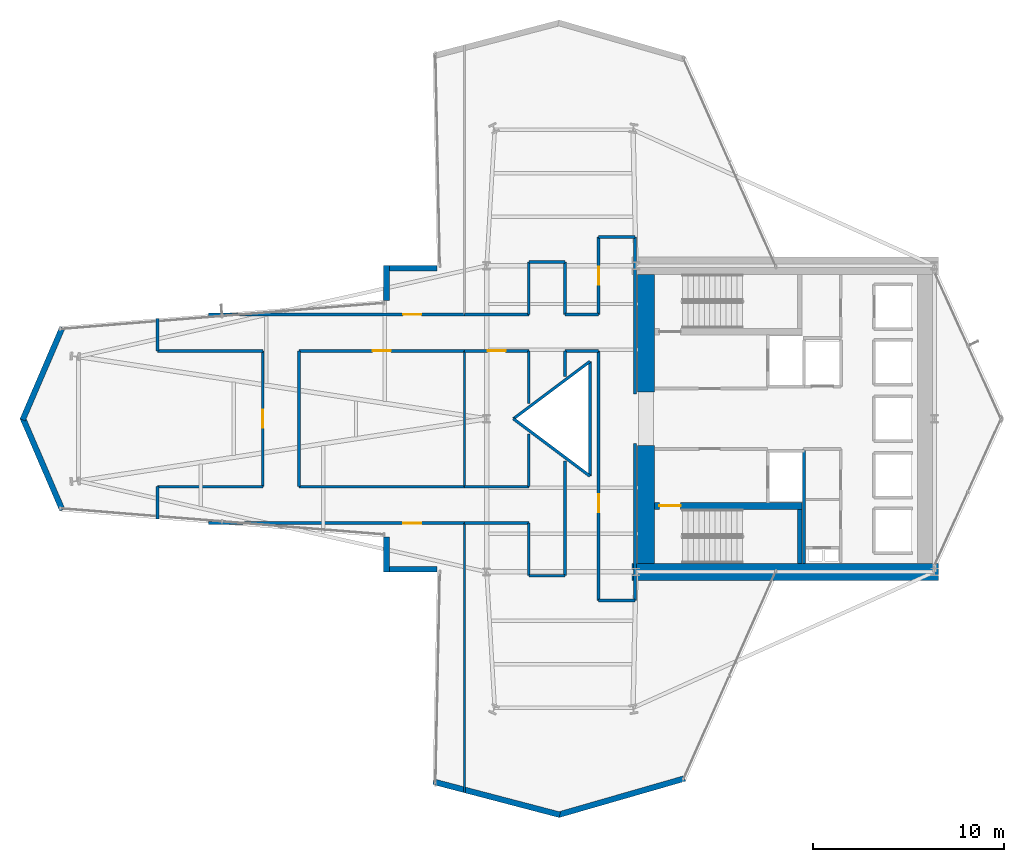
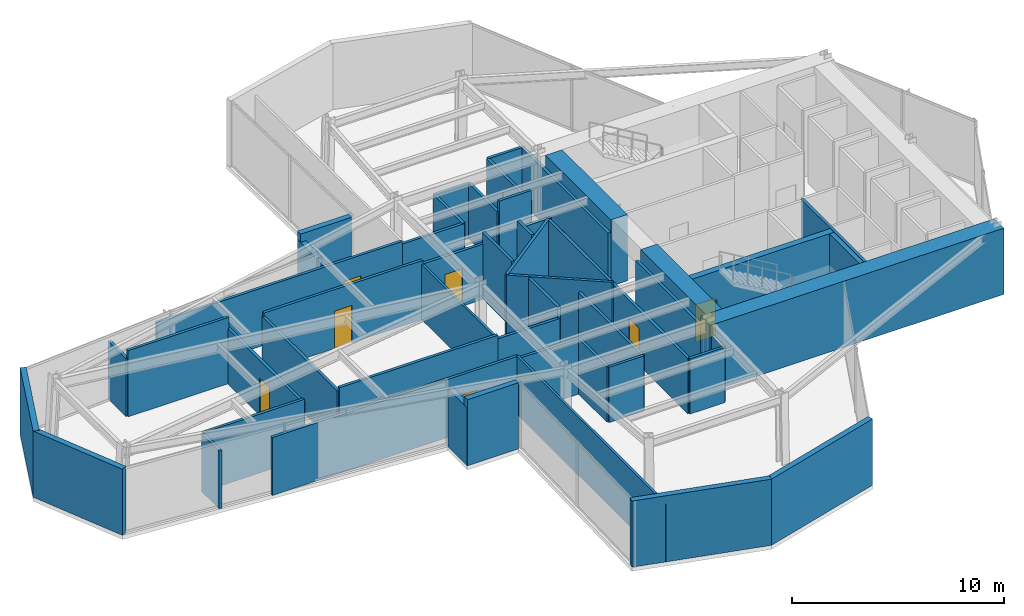
# One storey, part 21 of 24: 50 walls, 8 doors, 8 openings.
"""IFC4 building model written with IfcOpenShell, lengths in metres."""

from ifc_helpers import new_model, si_unit, direction, frame, frame_2d, origin, place, context, subcontext, project, spatial, rectangle, extrude, material, layer, layer_set, type_object, element, fill, save


model = new_model("IFC4")

# Units and contexts
model_context = context("Model", 3, precision=1e-05, world=origin(), true_north=direction((0.0, 1.0)))
body_context = subcontext(model_context, "Body", "Model", "MODEL_VIEW")
ifc_project = project(units=[si_unit("LENGTHUNIT", "METRE"), si_unit("AREAUNIT", "SQUARE_METRE"), si_unit("VOLUMEUNIT", "CUBIC_METRE"), si_unit("PLANEANGLEUNIT", "RADIAN"), si_unit("MASSUNIT", "GRAM", prefix="KILO")], contexts=[model_context])

# Site, building, storey
site_placement = place(None, origin())
site = spatial("IfcSite", under=ifc_project, at=site_placement, CompositionType="ELEMENT")
building_placement = place(site_placement, origin())
building = spatial("IfcBuilding", under=site, at=building_placement, Name="Veymaron Broadcast Tower", CompositionType="ELEMENT")
storey_placement = place(building_placement, frame((0.0, 0.0, 98.550048828125)))
storey = spatial("IfcBuildingStorey", under=building, at=storey_placement, Name="L22", CompositionType="ELEMENT", Elevation=98.550048828125)

# Walls
ifc_material_1 = material(Name="Precast concrete C40/50 with mineral-wool insulation", Category="concrete")
ifc_layer_1 = layer(ifc_material_1, 0.300048828125)
ifc_layer_set_1 = layer_set([ifc_layer_1], Name="Precast concrete C40/50 with mineral-wool insulation")
wall_type_1 = type_object("IfcWallType", Name="WALL-EXT-300", PredefinedType="STANDARD", material=ifc_layer_set_1)
wall_1_placement = place(storey_placement, frame((28.615478515625, 31.860107421875, 0.0), z_axis=(0.0, 0.0, 1.0), x_axis=(-1.0, 0.0, 0.0)))
element("IfcWall", 1, at=wall_1_placement, inside=storey, type_object=wall_type_1, Name="L22 notched corner facade pier 9-1", PredefinedType="STANDARD", context=body_context, shape_type="SweptSolid", body=[
    extrude(rectangle(XDim=2.783447265625, YDim=0.300048828125, at=frame_2d((1.3916015625, 0.0))), origin(), (0.0, 0.0, 1.0), 3.81005859375),
])
wall_2_placement = place(storey_placement, frame((25.971923828125, 32.0, 0.0), z_axis=(0.0, 0.0, 1.0), x_axis=(0.0, -1.0, 0.0)))
element("IfcWall", 2, at=wall_2_placement, inside=storey, type_object=wall_type_1, Name="L22 notched corner facade pier 10-1", PredefinedType="STANDARD", context=body_context, shape_type="SweptSolid", body=[
    extrude(rectangle(XDim=1.81201171875, YDim=0.300048828125, at=frame_2d((0.906005859375, 0.0))), origin(), (0.0, 0.0, 1.0), 3.337890625),
])
for number, where, z_axis, x_axis, name in (
    (3, (9.028564453125, 28.77001953125, 0.0), (0.0, 0.0, 1.0), (-0.395186600656, -0.918600865807, 0.0), "L22 notched corner facade pier 12-1"),
    (4, (6.95263671875, 24.055419921875, 0.0), (0.0, 0.0, 1.0), (0.395186600656, -0.918600865807, 0.0), "L22 notched corner facade pier 13-1"),
):
    element("IfcWall", number, at=place(storey_placement, frame(where, z_axis=z_axis, x_axis=x_axis)), inside=storey, type_object=wall_type_1, Name=name, PredefinedType="STANDARD", context=body_context, shape_type="SweptSolid", body=[
        extrude(rectangle(XDim=5.2529296875, YDim=0.300048828125, at=frame_2d((2.62646484375, 0.0))), origin(), (0.0, 0.0, 1.0), 3.81005859375),
    ])
wall_3_placement = place(storey_placement, frame((25.971923828125, 17.81201171875, 0.0), z_axis=(0.0, 0.0, 1.0), x_axis=(0.0, -1.0, 0.0)))
element("IfcWall", 5, at=wall_3_placement, inside=storey, type_object=wall_type_1, Name="L22 notched corner facade pier 15-1", PredefinedType="STANDARD", context=body_context, shape_type="SweptSolid", body=[
    extrude(rectangle(XDim=1.81201171875, YDim=0.300048828125, at=frame_2d((0.906005859375, 0.0))), origin(), (0.0, 0.0, 1.0), 3.337890625),
])
wall_4_placement = place(storey_placement, frame((25.83203125, 16.139892578125, 0.0), z_axis=(0.0, 0.0, 1.0), x_axis=(1.0, 0.0, 0.0)))
element("IfcWall", 6, at=wall_4_placement, inside=storey, type_object=wall_type_1, Name="L22 notched corner facade pier 16-1", PredefinedType="STANDARD", context=body_context, shape_type="SweptSolid", body=[
    extrude(rectangle(XDim=2.783447265625, YDim=0.300048828125, at=frame_2d((1.3916015625, 0.0))), origin(), (0.0, 0.0, 1.0), 3.81005859375),
])
wall_5_placement = place(storey_placement, frame((28.42138671875, 5.036376953125, 0.0), z_axis=(0.0, 0.0, 1.0), x_axis=(0.967350095479, -0.25344386514, 0.0)))
element("IfcWall", 7, at=wall_5_placement, inside=storey, type_object=wall_type_1, Name="L22 notched corner facade pier 18-1", PredefinedType="STANDARD", context=body_context, shape_type="SweptSolid", body=[
    extrude(rectangle(XDim=6.825927734375, YDim=0.300048828125, at=frame_2d((3.4130859375, 0.0))), origin(), (0.0, 0.0, 1.0), 3.81005859375),
])
wall_6_placement = place(storey_placement, frame((34.9501953125, 3.305419921875, 0.0), z_axis=(0.0, 0.0, 1.0), x_axis=(0.960887246738, 0.27693988347, 0.0)))
element("IfcWall", 8, at=wall_6_placement, inside=storey, type_object=wall_type_1, Name="L22 notched corner facade pier 19-1", PredefinedType="STANDARD", context=body_context, shape_type="SweptSolid", body=[
    extrude(rectangle(XDim=6.871826171875, YDim=0.300048828125, at=frame_2d((3.43603515625, 0.0))), origin(), (0.0, 0.0, 1.0), 3.81005859375),
])
ifc_material_2 = material(Name="Gypsum fireboard and steel stud framing", Category="steel")
ifc_layer_2 = layer(ifc_material_2, 0.14990234375)
ifc_layer_set_2 = layer_set([ifc_layer_2], Name="Gypsum fireboard and steel stud framing")
wall_type_2 = type_object("IfcWallType", Name="WALL-FIRE-150", PredefinedType="PARTITIONING", material=ifc_layer_set_2)
wall_7_placement = place(storey_placement, frame((47.780029296875, 16.449951171875, 0.0), z_axis=(0.0, 0.0, 1.0), x_axis=(0.0, 1.0, 0.0)))
element("IfcWall", 9, at=wall_7_placement, inside=storey, type_object=wall_type_2, Name="L22 partition IW-L22-SM-W", PredefinedType="PARTITIONING", context=body_context, shape_type="SweptSolid", body=[
    extrude(rectangle(XDim=5.97509765625, YDim=0.14990234375, at=frame_2d((2.987548828125, 0.0))), origin(), (0.0, 0.0, 1.0), 3.81005859375),
])

# Wall, opening, door
wall_8_placement = place(storey_placement, frame((37.050048828125, 14.5, 0.0), z_axis=(0.0, 0.0, 1.0), x_axis=(0.0, 1.0, 0.0)))
wall_8 = element("IfcWall", 10, at=wall_8_placement, inside=storey, type_object=wall_type_2, Name="L22 partition IW-L22-P01", PredefinedType="PARTITIONING", context=body_context, shape_type="SweptSolid", body=[
    extrude(rectangle(XDim=13.050048828125, YDim=0.14990234375, at=frame_2d((6.52490234375, 0.0))), origin(), (0.0, 0.0, 1.0), 3.180908203125),
])
opening_1_placement = place(wall_8_placement, frame((4.610107421875, 0.0, 0.0)))
opening_1 = element("IfcOpeningElement", 11, at=opening_1_placement, cuts=wall_8, Name="Opening ID-RM1", PredefinedType="OPENING", context=body_context, shape_type="SweptSolid", body=[
    extrude(rectangle(XDim=0.949951171875, YDim=2.14990234375, at=frame_2d((0.47509765625, 1.074951171875))), frame((0.0, 0.0849609375, 0.0), z_axis=(0.0, -1.0, 0.0), x_axis=(1.0, 0.0, 0.0)), (0.0, 0.0, 1.0), 0.169921875),
])
ifc_material_3 = material(Name="Acoustic solid-core European oak veneer timber", Category="wood")
door_type_1 = type_object("IfcDoorType", Name="DOOR-INT-950", OperationType="NOTDEFINED", PredefinedType="DOOR", material=ifc_material_3)
door_1_placement = place(opening_1_placement, frame((0.949951171875, 0.0, 0.0), z_axis=(0.0, 0.0, 1.0), x_axis=(-1.0, 0.0, 0.0)))
door_1 = element("IfcDoor", 12, at=door_1_placement, inside=storey, type_object=door_type_1, Name="L22 door DR-L22-P01", OperationType="SINGLE_SWING_RIGHT", OverallHeight=2.14990234375, OverallWidth=0.949951171875, PredefinedType="DOOR", context=body_context, shape_type="SweptSolid", body=[
    extrude(rectangle(XDim=0.949951171875, YDim=2.14990234375, at=frame_2d((0.47509765625, 1.074951171875))), frame((0.0, 0.02490234375, 0.0), z_axis=(0.0, -1.0, 0.0), x_axis=(1.0, 0.0, 0.0)), (0.0, 0.0, 1.0), 0.050048828125),
])
fill(opening_1, door_1)

wall_9_placement = place(storey_placement, frame((16.66162109375, 18.550048828125, 0.0), z_axis=(0.0, 0.0, 1.0), x_axis=(1.0, 0.0, 0.0)))
wall_9 = element("IfcWall", 13, at=wall_9_placement, inside=storey, type_object=wall_type_2, Name="L22 partition IW-L22-P10", PredefinedType="PARTITIONING", context=body_context, shape_type="SweptSolid", body=[
    extrude(rectangle(XDim=13.37744140625, YDim=0.14990234375, at=frame_2d((6.688720703125, 0.0))), origin(), (0.0, 0.0, 1.0), 3.337890625),
])
opening_2_placement = place(wall_9_placement, frame((10.173828125, 0.0, 0.0)))
opening_2 = element("IfcOpeningElement", 14, at=opening_2_placement, cuts=wall_9, Name="Opening ID-RM1", PredefinedType="OPENING", context=body_context, shape_type="SweptSolid", body=[
    extrude(rectangle(XDim=0.949951171875, YDim=2.14990234375, at=frame_2d((0.47509765625, 1.074951171875))), frame((0.0, 0.0849609375, 0.0), z_axis=(0.0, -1.0, 0.0), x_axis=(1.0, 0.0, 0.0)), (0.0, 0.0, 1.0), 0.169921875),
])
door_2_placement = place(opening_2_placement, frame((0.949951171875, 0.0, 0.0), z_axis=(0.0, 0.0, 1.0), x_axis=(-1.0, 0.0, 0.0)))
door_2 = element("IfcDoor", 15, at=door_2_placement, inside=storey, type_object=door_type_1, Name="L22 door DR-L22-P10", OperationType="SINGLE_SWING_LEFT", OverallHeight=2.14990234375, OverallWidth=0.949951171875, PredefinedType="DOOR", context=body_context, shape_type="SweptSolid", body=[
    extrude(rectangle(XDim=0.949951171875, YDim=2.14990234375, at=frame_2d((0.47509765625, 1.074951171875))), frame((0.0, 0.02490234375, 0.0), z_axis=(0.0, -1.0, 0.0), x_axis=(1.0, 0.0, 0.0)), (0.0, 0.0, 1.0), 0.050048828125),
])
fill(opening_2, door_2)

wall_10_placement = place(storey_placement, frame((19.5, 20.449951171875, 0.0), z_axis=(0.0, 0.0, 1.0), x_axis=(0.0, 1.0, 0.0)))
wall_10 = element("IfcWall", 16, at=wall_10_placement, inside=storey, type_object=wall_type_2, Name="L22 partition IW-L22-P11", PredefinedType="PARTITIONING", context=body_context, shape_type="SweptSolid", body=[
    extrude(rectangle(XDim=7.10009765625, YDim=0.14990234375, at=frame_2d((3.550048828125, 0.0))), origin(), (0.0, 0.0, 1.0), 3.180908203125),
])
opening_3_placement = place(wall_10_placement, frame((3.074951171875, 0.0, 0.0)))
opening_3 = element("IfcOpeningElement", 17, at=opening_3_placement, cuts=wall_10, Name="Opening ID-RM1", PredefinedType="OPENING", context=body_context, shape_type="SweptSolid", body=[
    extrude(rectangle(XDim=0.949951171875, YDim=2.14990234375, at=frame_2d((0.47509765625, 1.074951171875))), frame((0.0, 0.0849609375, 0.0), z_axis=(0.0, -1.0, 0.0), x_axis=(1.0, 0.0, 0.0)), (0.0, 0.0, 1.0), 0.169921875),
])
door_3_placement = place(opening_3_placement, origin())
door_3 = element("IfcDoor", 18, at=door_3_placement, inside=storey, type_object=door_type_1, Name="L22 door DR-L22-P11", OperationType="SINGLE_SWING_RIGHT", OverallHeight=2.14990234375, OverallWidth=0.949951171875, PredefinedType="DOOR", context=body_context, shape_type="SweptSolid", body=[
    extrude(rectangle(XDim=0.949951171875, YDim=2.14990234375, at=frame_2d((0.47509765625, 1.074951171875))), frame((0.0, 0.02490234375, 0.0), z_axis=(0.0, -1.0, 0.0), x_axis=(1.0, 0.0, 0.0)), (0.0, 0.0, 1.0), 0.050048828125),
])
fill(opening_3, door_3)

wall_11_placement = place(storey_placement, frame((21.39990234375, 27.550048828125, 0.0), z_axis=(0.0, 0.0, 1.0), x_axis=(1.0, 0.0, 0.0)))
wall_11 = element("IfcWall", 19, at=wall_11_placement, inside=storey, type_object=wall_type_2, Name="L22 partition IW-L22-P16", PredefinedType="PARTITIONING", context=body_context, shape_type="SweptSolid", body=[
    extrude(rectangle(XDim=8.63916015625, YDim=0.14990234375, at=frame_2d((4.319580078125, 0.0))), origin(), (0.0, 0.0, 1.0), 3.390869140625),
])
opening_4_placement = place(wall_11_placement, frame((3.844482421875, 0.0, 0.0)))
opening_4 = element("IfcOpeningElement", 20, at=opening_4_placement, cuts=wall_11, Name="Opening ID-RM1", PredefinedType="OPENING", context=body_context, shape_type="SweptSolid", body=[
    extrude(rectangle(XDim=0.949951171875, YDim=2.14990234375, at=frame_2d((0.47509765625, 1.074951171875))), frame((0.0, 0.0849609375, 0.0), z_axis=(0.0, -1.0, 0.0), x_axis=(1.0, 0.0, 0.0)), (0.0, 0.0, 1.0), 0.169921875),
])
door_4_placement = place(opening_4_placement, frame((0.949951171875, 0.0, 0.0), z_axis=(0.0, 0.0, 1.0), x_axis=(-1.0, 0.0, 0.0)))
door_4 = element("IfcDoor", 21, at=door_4_placement, inside=storey, type_object=door_type_1, Name="L22 door DR-L22-P16", OperationType="SINGLE_SWING_LEFT", OverallHeight=2.14990234375, OverallWidth=0.949951171875, PredefinedType="DOOR", context=body_context, shape_type="SweptSolid", body=[
    extrude(rectangle(XDim=0.949951171875, YDim=2.14990234375, at=frame_2d((0.47509765625, 1.074951171875))), frame((0.0, 0.02490234375, 0.0), z_axis=(0.0, -1.0, 0.0), x_axis=(1.0, 0.0, 0.0)), (0.0, 0.0, 1.0), 0.050048828125),
])
fill(opening_4, door_4)

wall_12_placement = place(storey_placement, frame((30.0390625, 27.550048828125, 0.0), z_axis=(0.0, 0.0, 1.0), x_axis=(1.0, 0.0, 0.0)))
wall_12 = element("IfcWall", 22, at=wall_12_placement, inside=storey, type_object=wall_type_2, Name="L22 partition IW-L22-P19", PredefinedType="PARTITIONING", context=body_context, shape_type="SweptSolid", body=[
    extrude(rectangle(XDim=3.36083984375, YDim=0.14990234375, at=frame_2d((1.680419921875, 0.0))), origin(), (0.0, 0.0, 1.0), 3.180908203125),
])
opening_5_placement = place(wall_12_placement, frame((1.20556640625, 0.0, 0.0)))
opening_5 = element("IfcOpeningElement", 23, at=opening_5_placement, cuts=wall_12, Name="Opening ID-RM1", PredefinedType="OPENING", context=body_context, shape_type="SweptSolid", body=[
    extrude(rectangle(XDim=0.949951171875, YDim=2.14990234375, at=frame_2d((0.47509765625, 1.074951171875))), frame((0.0, 0.0849609375, 0.0), z_axis=(0.0, -1.0, 0.0), x_axis=(1.0, 0.0, 0.0)), (0.0, 0.0, 1.0), 0.169921875),
])
door_5_placement = place(opening_5_placement, frame((0.949951171875, 0.0, 0.0), z_axis=(0.0, 0.0, 1.0), x_axis=(-1.0, 0.0, 0.0)))
door_5 = element("IfcDoor", 24, at=door_5_placement, inside=storey, type_object=door_type_1, Name="L22 door DR-L22-P19", OperationType="SINGLE_SWING_RIGHT", OverallHeight=2.14990234375, OverallWidth=0.949951171875, PredefinedType="DOOR", context=body_context, shape_type="SweptSolid", body=[
    extrude(rectangle(XDim=0.949951171875, YDim=2.14990234375, at=frame_2d((0.47509765625, 1.074951171875))), frame((0.0, 0.02490234375, 0.0), z_axis=(0.0, -1.0, 0.0), x_axis=(1.0, 0.0, 0.0)), (0.0, 0.0, 1.0), 0.050048828125),
])
fill(opening_5, door_5)

wall_13_placement = place(storey_placement, frame((16.66162109375, 29.449951171875, 0.0), z_axis=(0.0, 0.0, 1.0), x_axis=(1.0, 0.0, 0.0)))
wall_13 = element("IfcWall", 25, at=wall_13_placement, inside=storey, type_object=wall_type_2, Name="L22 partition IW-L22-P23", PredefinedType="PARTITIONING", context=body_context, shape_type="SweptSolid", body=[
    extrude(rectangle(XDim=13.37744140625, YDim=0.14990234375, at=frame_2d((6.688720703125, 0.0))), origin(), (0.0, 0.0, 1.0), 3.337890625),
])
opening_6_placement = place(wall_13_placement, frame((10.173828125, 0.0, 0.0)))
opening_6 = element("IfcOpeningElement", 26, at=opening_6_placement, cuts=wall_13, Name="Opening ID-RM1", PredefinedType="OPENING", context=body_context, shape_type="SweptSolid", body=[
    extrude(rectangle(XDim=0.949951171875, YDim=2.14990234375, at=frame_2d((0.47509765625, 1.074951171875))), frame((0.0, 0.0849609375, 0.0), z_axis=(0.0, -1.0, 0.0), x_axis=(1.0, 0.0, 0.0)), (0.0, 0.0, 1.0), 0.169921875),
])
door_6_placement = place(opening_6_placement, origin())
door_6 = element("IfcDoor", 27, at=door_6_placement, inside=storey, type_object=door_type_1, Name="L22 door DR-L22-P23", OperationType="SINGLE_SWING_RIGHT", OverallHeight=2.14990234375, OverallWidth=0.949951171875, PredefinedType="DOOR", context=body_context, shape_type="SweptSolid", body=[
    extrude(rectangle(XDim=0.949951171875, YDim=2.14990234375, at=frame_2d((0.47509765625, 1.074951171875))), frame((0.0, 0.02490234375, 0.0), z_axis=(0.0, -1.0, 0.0), x_axis=(1.0, 0.0, 0.0)), (0.0, 0.0, 1.0), 0.050048828125),
])
fill(opening_6, door_6)

wall_14_placement = place(storey_placement, frame((37.050048828125, 29.449951171875, 0.0), z_axis=(0.0, 0.0, 1.0), x_axis=(0.0, 1.0, 0.0)))
wall_14 = element("IfcWall", 28, at=wall_14_placement, inside=storey, type_object=wall_type_2, Name="L22 partition IW-L22-P25", PredefinedType="PARTITIONING", context=body_context, shape_type="SweptSolid", body=[
    extrude(rectangle(XDim=4.050048828125, YDim=0.14990234375, at=frame_2d((2.02490234375, 0.0))), origin(), (0.0, 0.0, 1.0), 3.180908203125),
])
opening_7_placement = place(wall_14_placement, frame((1.550048828125, 0.0, 0.0)))
opening_7 = element("IfcOpeningElement", 29, at=opening_7_placement, cuts=wall_14, Name="Opening ID-RM1", PredefinedType="OPENING", context=body_context, shape_type="SweptSolid", body=[
    extrude(rectangle(XDim=0.949951171875, YDim=2.14990234375, at=frame_2d((0.47509765625, 1.074951171875))), frame((0.0, 0.0849609375, 0.0), z_axis=(0.0, -1.0, 0.0), x_axis=(1.0, 0.0, 0.0)), (0.0, 0.0, 1.0), 0.169921875),
])
door_7_placement = place(opening_7_placement, origin())
door_7 = element("IfcDoor", 30, at=door_7_placement, inside=storey, type_object=door_type_1, Name="L22 door DR-L22-P25", OperationType="SINGLE_SWING_RIGHT", OverallHeight=2.14990234375, OverallWidth=0.949951171875, PredefinedType="DOOR", context=body_context, shape_type="SweptSolid", body=[
    extrude(rectangle(XDim=0.949951171875, YDim=2.14990234375, at=frame_2d((0.47509765625, 1.074951171875))), frame((0.0, 0.02490234375, 0.0), z_axis=(0.0, -1.0, 0.0), x_axis=(1.0, 0.0, 0.0)), (0.0, 0.0, 1.0), 0.050048828125),
])
fill(opening_7, door_7)

# Walls
wall_15_placement = place(storey_placement, frame((38.949951171875, 14.5, 0.0), z_axis=(0.0, 0.0, 1.0), x_axis=(0.0, 1.0, 0.0)))
element("IfcWall", 31, at=wall_15_placement, inside=storey, type_object=wall_type_2, Name="L22 partition IW-L22-P02", PredefinedType="PARTITIONING", context=body_context, shape_type="SweptSolid", body=[
    extrude(rectangle(XDim=8.199951171875, YDim=0.14990234375, at=frame_2d((4.10009765625, 0.0))), origin(), (0.0, 0.0, 1.0), 3.180908203125),
])
wall_16_placement = place(storey_placement, frame((35.300048828125, 15.800048828125, 0.0), z_axis=(0.0, 0.0, 1.0), x_axis=(0.0, 1.0, 0.0)))
element("IfcWall", 32, at=wall_16_placement, inside=storey, type_object=wall_type_2, Name="L22 partition IW-L22-P03", PredefinedType="PARTITIONING", context=body_context, shape_type="SweptSolid", body=[
    extrude(rectangle(XDim=5.987548828125, YDim=0.14990234375, at=frame_2d((2.99365234375, 0.0))), origin(), (0.0, 0.0, 1.0), 3.180908203125),
])
wall_17_placement = place(storey_placement, frame((30.0390625, 18.550048828125, 0.0), z_axis=(0.0, 0.0, 1.0), x_axis=(1.0, 0.0, 0.0)))
element("IfcWall", 33, at=wall_17_placement, inside=storey, type_object=wall_type_2, Name="L22 partition IW-L22-P04", PredefinedType="PARTITIONING", context=body_context, shape_type="SweptSolid", body=[
    extrude(rectangle(XDim=3.36083984375, YDim=0.14990234375, at=frame_2d((1.680419921875, 0.0))), origin(), (0.0, 0.0, 1.0), 3.180908203125),
])
wall_18_placement = place(storey_placement, frame((33.39990234375, 15.800048828125, 0.0), z_axis=(0.0, 0.0, 1.0), x_axis=(0.0, 1.0, 0.0)))
element("IfcWall", 34, at=wall_18_placement, inside=storey, type_object=wall_type_2, Name="L22 partition IW-L22-P05", PredefinedType="PARTITIONING", context=body_context, shape_type="SweptSolid", body=[
    extrude(rectangle(XDim=2.75, YDim=0.14990234375, at=frame_2d((1.375, 0.0))), origin(), (0.0, 0.0, 1.0), 3.180908203125),
])
wall_19_placement = place(storey_placement, frame((37.050048828125, 14.5, 0.0), z_axis=(0.0, 0.0, 1.0), x_axis=(1.0, 0.0, 0.0)))
element("IfcWall", 35, at=wall_19_placement, inside=storey, type_object=wall_type_2, Name="L22 partition IW-L22-P06", PredefinedType="PARTITIONING", context=body_context, shape_type="SweptSolid", body=[
    extrude(rectangle(XDim=1.89990234375, YDim=0.14990234375, at=frame_2d((0.949951171875, 0.0))), origin(), (0.0, 0.0, 1.0), 3.180908203125),
])
wall_20_placement = place(storey_placement, frame((33.39990234375, 15.800048828125, 0.0), z_axis=(0.0, 0.0, 1.0), x_axis=(1.0, 0.0, 0.0)))
element("IfcWall", 36, at=wall_20_placement, inside=storey, type_object=wall_type_2, Name="L22 partition IW-L22-P07", PredefinedType="PARTITIONING", context=body_context, shape_type="SweptSolid", body=[
    extrude(rectangle(XDim=1.900146484375, YDim=0.14990234375, at=frame_2d((0.9501953125, 0.0))), origin(), (0.0, 0.0, 1.0), 3.180908203125),
])
wall_21_placement = place(storey_placement, frame((35.300048828125, 27.550048828125, 0.0), z_axis=(0.0, 0.0, 1.0), x_axis=(1.0, 0.0, 0.0)))
element("IfcWall", 37, at=wall_21_placement, inside=storey, type_object=wall_type_2, Name="L22 partition IW-L22-P08", PredefinedType="PARTITIONING", context=body_context, shape_type="SweptSolid", body=[
    extrude(rectangle(XDim=1.75, YDim=0.14990234375, at=frame_2d((0.875, 0.0))), origin(), (0.0, 0.0, 1.0), 3.390869140625),
])
wall_22_placement = place(storey_placement, frame((35.300048828125, 26.21240234375, 0.0), z_axis=(0.0, 0.0, 1.0), x_axis=(0.0, 1.0, 0.0)))
element("IfcWall", 38, at=wall_22_placement, inside=storey, type_object=wall_type_2, Name="L22 partition IW-L22-P09", PredefinedType="PARTITIONING", context=body_context, shape_type="SweptSolid", body=[
    extrude(rectangle(XDim=1.337646484375, YDim=0.14990234375, at=frame_2d((0.6689453125, 0.0))), origin(), (0.0, 0.0, 1.0), 3.81005859375),
])
wall_23_placement = place(storey_placement, frame((14.0, 20.449951171875, 0.0), z_axis=(0.0, 0.0, 1.0), x_axis=(1.0, 0.0, 0.0)))
element("IfcWall", 39, at=wall_23_placement, inside=storey, type_object=wall_type_2, Name="L22 partition IW-L22-P12", PredefinedType="PARTITIONING", context=body_context, shape_type="SweptSolid", body=[
    extrude(rectangle(XDim=5.5, YDim=0.14990234375, at=frame_2d((2.75, 0.0))), origin(), (0.0, 0.0, 1.0), 3.390869140625),
])
wall_24_placement = place(storey_placement, frame((14.0, 27.550048828125, 0.0), z_axis=(0.0, 0.0, 1.0), x_axis=(1.0, 0.0, 0.0)))
element("IfcWall", 40, at=wall_24_placement, inside=storey, type_object=wall_type_2, Name="L22 partition IW-L22-P13", PredefinedType="PARTITIONING", context=body_context, shape_type="SweptSolid", body=[
    extrude(rectangle(XDim=5.5, YDim=0.14990234375, at=frame_2d((2.75, 0.0))), origin(), (0.0, 0.0, 1.0), 3.81005859375),
])
for number, where, z_axis, x_axis, name in (
    (41, (14.0, 18.76416015625, 0.0), (0.0, 0.0, 1.0), (0.0, 1.0, 0.0), "L22 partition IW-L22-P14"),
    (42, (14.0, 27.550048828125, 0.0), (0.0, 0.0, 1.0), (0.0, 1.0, 0.0), "L22 partition IW-L22-P15"),
):
    element("IfcWall", number, at=place(storey_placement, frame(where, z_axis=z_axis, x_axis=x_axis)), inside=storey, type_object=wall_type_2, Name=name, PredefinedType="PARTITIONING", context=body_context, shape_type="SweptSolid", body=[
        extrude(rectangle(XDim=1.685791015625, YDim=0.14990234375, at=frame_2d((0.8427734375, 0.0))), origin(), (0.0, 0.0, 1.0), 3.337890625),
    ])
wall_25_placement = place(storey_placement, frame((21.39990234375, 20.449951171875, 0.0), z_axis=(0.0, 0.0, 1.0), x_axis=(1.0, 0.0, 0.0)))
element("IfcWall", 43, at=wall_25_placement, inside=storey, type_object=wall_type_2, Name="L22 partition IW-L22-P17", PredefinedType="PARTITIONING", context=body_context, shape_type="SweptSolid", body=[
    extrude(rectangle(XDim=8.63916015625, YDim=0.14990234375, at=frame_2d((4.319580078125, 0.0))), origin(), (0.0, 0.0, 1.0), 3.390869140625),
])
wall_26_placement = place(storey_placement, frame((21.39990234375, 20.449951171875, 0.0), z_axis=(0.0, 0.0, 1.0), x_axis=(0.0, 1.0, 0.0)))
element("IfcWall", 44, at=wall_26_placement, inside=storey, type_object=wall_type_2, Name="L22 partition IW-L22-P18", PredefinedType="PARTITIONING", context=body_context, shape_type="SweptSolid", body=[
    extrude(rectangle(XDim=7.10009765625, YDim=0.14990234375, at=frame_2d((3.550048828125, 0.0))), origin(), (0.0, 0.0, 1.0), 3.180908203125),
])
wall_27_placement = place(storey_placement, frame((30.0390625, 20.449951171875, 0.0), z_axis=(0.0, 0.0, 1.0), x_axis=(1.0, 0.0, 0.0)))
element("IfcWall", 45, at=wall_27_placement, inside=storey, type_object=wall_type_2, Name="L22 partition IW-L22-P20", PredefinedType="PARTITIONING", context=body_context, shape_type="SweptSolid", body=[
    extrude(rectangle(XDim=3.36083984375, YDim=0.14990234375, at=frame_2d((1.680419921875, 0.0))), origin(), (0.0, 0.0, 1.0), 3.180908203125),
])
for number, where, z_axis, x_axis, name in (
    (46, (33.39990234375, 24.78759765625, 0.0), (0.0, 0.0, 1.0), (0.0, 1.0, 0.0), "L22 partition IW-L22-P21"),
    (47, (33.39990234375, 20.449951171875, 0.0), (0.0, 0.0, 1.0), (0.0, 1.0, 0.0), "L22 partition IW-L22-P22"),
):
    element("IfcWall", number, at=place(storey_placement, frame(where, z_axis=z_axis, x_axis=x_axis)), inside=storey, type_object=wall_type_2, Name=name, PredefinedType="PARTITIONING", context=body_context, shape_type="SweptSolid", body=[
        extrude(rectangle(XDim=2.762451171875, YDim=0.14990234375, at=frame_2d((1.38134765625, 0.0))), origin(), (0.0, 0.0, 1.0), 3.81005859375),
    ])
wall_28_placement = place(storey_placement, frame((38.949951171875, 25.300048828125, 0.0), z_axis=(0.0, 0.0, 1.0), x_axis=(0.0, 1.0, 0.0)))
element("IfcWall", 48, at=wall_28_placement, inside=storey, type_object=wall_type_2, Name="L22 partition IW-L22-P24", PredefinedType="PARTITIONING", context=body_context, shape_type="SweptSolid", body=[
    extrude(rectangle(XDim=8.199951171875, YDim=0.14990234375, at=frame_2d((4.10009765625, 0.0))), origin(), (0.0, 0.0, 1.0), 3.180908203125),
])
wall_29_placement = place(storey_placement, frame((30.0390625, 29.449951171875, 0.0), z_axis=(0.0, 0.0, 1.0), x_axis=(1.0, 0.0, 0.0)))
element("IfcWall", 49, at=wall_29_placement, inside=storey, type_object=wall_type_2, Name="L22 partition IW-L22-P26", PredefinedType="PARTITIONING", context=body_context, shape_type="SweptSolid", body=[
    extrude(rectangle(XDim=3.36083984375, YDim=0.14990234375, at=frame_2d((1.680419921875, 0.0))), origin(), (0.0, 0.0, 1.0), 3.180908203125),
])
for number, where, z_axis, x_axis, name in (
    (50, (33.39990234375, 29.449951171875, 0.0), (0.0, 0.0, 1.0), (0.0, 1.0, 0.0), "L22 partition IW-L22-P27"),
    (51, (35.300048828125, 29.449951171875, 0.0), (0.0, 0.0, 1.0), (0.0, 1.0, 0.0), "L22 partition IW-L22-P28"),
):
    element("IfcWall", number, at=place(storey_placement, frame(where, z_axis=z_axis, x_axis=x_axis)), inside=storey, type_object=wall_type_2, Name=name, PredefinedType="PARTITIONING", context=body_context, shape_type="SweptSolid", body=[
        extrude(rectangle(XDim=2.75, YDim=0.14990234375, at=frame_2d((1.375, 0.0))), origin(), (0.0, 0.0, 1.0), 3.180908203125),
    ])
wall_30_placement = place(storey_placement, frame((37.050048828125, 33.5, 0.0), z_axis=(0.0, 0.0, 1.0), x_axis=(1.0, 0.0, 0.0)))
element("IfcWall", 52, at=wall_30_placement, inside=storey, type_object=wall_type_2, Name="L22 partition IW-L22-P29", PredefinedType="PARTITIONING", context=body_context, shape_type="SweptSolid", body=[
    extrude(rectangle(XDim=1.89990234375, YDim=0.14990234375, at=frame_2d((0.949951171875, 0.0))), origin(), (0.0, 0.0, 1.0), 3.180908203125),
])
wall_31_placement = place(storey_placement, frame((33.39990234375, 32.199951171875, 0.0), z_axis=(0.0, 0.0, 1.0), x_axis=(1.0, 0.0, 0.0)))
element("IfcWall", 53, at=wall_31_placement, inside=storey, type_object=wall_type_2, Name="L22 partition IW-L22-P30", PredefinedType="PARTITIONING", context=body_context, shape_type="SweptSolid", body=[
    extrude(rectangle(XDim=1.900146484375, YDim=0.14990234375, at=frame_2d((0.9501953125, 0.0))), origin(), (0.0, 0.0, 1.0), 3.180908203125),
])
wall_32_placement = place(storey_placement, frame((35.300048828125, 29.449951171875, 0.0), z_axis=(0.0, 0.0, 1.0), x_axis=(1.0, 0.0, 0.0)))
element("IfcWall", 54, at=wall_32_placement, inside=storey, type_object=wall_type_2, Name="L22 partition IW-L22-P31", PredefinedType="PARTITIONING", context=body_context, shape_type="SweptSolid", body=[
    extrude(rectangle(XDim=1.75, YDim=0.14990234375, at=frame_2d((0.875, 0.0))), origin(), (0.0, 0.0, 1.0), 3.81005859375),
])
ifc_material_4 = material(Name="Fire-rated laminated glass in aluminium frame", Category="aluminium")
ifc_layer_3 = layer(ifc_material_4, 0.14990234375)
ifc_layer_set_3 = layer_set([ifc_layer_3], Name="Fire-rated laminated glass in aluminium frame")
wall_type_3 = type_object("IfcWallType", Name="WALL-GLZ-150", PredefinedType="MOVABLE", material=ifc_layer_set_3)
wall_33_placement = place(storey_placement, frame((32.60009765625, 24.0, 0.0), z_axis=(0.0, 0.0, 1.0), x_axis=(0.8, -0.6, 0.0)))
element("IfcWall", 55, at=wall_33_placement, inside=storey, type_object=wall_type_3, Name="L22 partition IW-L22-ATR1", PredefinedType="MOVABLE", context=body_context, shape_type="SweptSolid", body=[
    extrude(rectangle(XDim=5.0, YDim=0.14990234375, at=frame_2d((2.5, 0.0))), origin(), (0.0, 0.0, 1.0), 3.81005859375),
])
wall_34_placement = place(storey_placement, frame((36.60009765625, 21.0, 0.0), z_axis=(0.0, 0.0, 1.0), x_axis=(0.0, 1.0, 0.0)))
element("IfcWall", 56, at=wall_34_placement, inside=storey, type_object=wall_type_3, Name="L22 partition IW-L22-ATR2", PredefinedType="MOVABLE", context=body_context, shape_type="SweptSolid", body=[
    extrude(rectangle(XDim=6.0, YDim=0.14990234375, at=frame_2d((3.0, 0.0))), origin(), (0.0, 0.0, 1.0), 3.81005859375),
])
wall_35_placement = place(storey_placement, frame((36.60009765625, 27.0, 0.0), z_axis=(0.0, 0.0, 1.0), x_axis=(-0.8, -0.6, 0.0)))
element("IfcWall", 57, at=wall_35_placement, inside=storey, type_object=wall_type_3, Name="L22 partition IW-L22-ATR3", PredefinedType="MOVABLE", context=body_context, shape_type="SweptSolid", body=[
    extrude(rectangle(XDim=5.0, YDim=0.14990234375, at=frame_2d((2.5, 0.0))), origin(), (0.0, 0.0, 1.0), 3.81005859375),
])
ifc_material_5 = material(Name="Acoustic gypsum board and galvanized stud", Category="gypsum")
ifc_layer_4 = layer(ifc_material_5, 0.1201171875)
ifc_layer_set_4 = layer_set([ifc_layer_4], Name="Acoustic gypsum board and galvanized stud")
wall_type_4 = type_object("IfcWallType", Name="WALL-PART-120", PredefinedType="PARTITIONING", material=ifc_layer_set_4)
wall_36_placement = place(storey_placement, frame((30.0390625, 4.468017578125, 0.0), z_axis=(0.0, 0.0, 1.0), x_axis=(0.0, 1.0, 0.0)))
element("IfcWall", 58, at=wall_36_placement, inside=storey, type_object=wall_type_4, Name="L22 partition IW-L22-P32", PredefinedType="PARTITIONING", context=body_context, shape_type="SweptSolid", body=[
    extrude(rectangle(XDim=14.08203125, YDim=0.1201171875, at=frame_2d((7.041015625, 0.0))), origin(), (0.0, 0.0, 1.0), 3.337890625),
])
wall_37_placement = place(storey_placement, frame((30.0390625, 20.449951171875, 0.0), z_axis=(0.0, 0.0, 1.0), x_axis=(0.0, 1.0, 0.0)))
element("IfcWall", 59, at=wall_37_placement, inside=storey, type_object=wall_type_4, Name="L22 partition IW-L22-P33", PredefinedType="PARTITIONING", context=body_context, shape_type="SweptSolid", body=[
    extrude(rectangle(XDim=7.10009765625, YDim=0.1201171875, at=frame_2d((3.550048828125, 0.0))), origin(), (0.0, 0.0, 1.0), 3.180908203125),
])
ifc_material_6 = material(Name="Concrete C50/60", Category="concrete")
ifc_layer_5 = layer(ifc_material_6, 0.25)
ifc_layer_set_5 = layer_set([ifc_layer_5], Name="Concrete C50/60")
wall_type_5 = type_object("IfcWallType", Name="WALL-SHEAR-250", PredefinedType="SHEAR", material=ifc_layer_set_5)
wall_38_placement = place(storey_placement, frame((47.56494140625, 16.449951171875, 0.0), z_axis=(0.0, 0.0, 1.0), x_axis=(0.0, 1.0, 0.0)))
element("IfcWall", 60, at=wall_38_placement, inside=storey, type_object=wall_type_5, Name="L22 Core Wall south stair east shear", PredefinedType="SHEAR", context=body_context, shape_type="SweptSolid", body=[
    extrude(rectangle(XDim=2.820068359375, YDim=0.25, at=frame_2d((1.41015625, 0.0))), origin(), (0.0, 0.0, 1.0), 3.81005859375),
])

# Wall, opening, door
ifc_layer_6 = layer(ifc_material_6, 0.35009765625)
ifc_layer_set_6 = layer_set([ifc_layer_6], Name="Concrete C50/60")
wall_type_6 = type_object("IfcWallType", Name="WALL-SHEAR-350", PredefinedType="SHEAR", material=ifc_layer_set_6)
wall_39_placement = place(storey_placement, frame((39.97998046875, 19.445068359375, 0.0), z_axis=(0.0, 0.0, 1.0), x_axis=(1.0, 0.0, 0.0)))
wall_39 = element("IfcWall", 61, at=wall_39_placement, inside=storey, type_object=wall_type_6, Name="L22 Core Wall south stair spine", PredefinedType="SHEAR", context=body_context, shape_type="SweptSolid", body=[
    extrude(rectangle(XDim=7.7099609375, YDim=0.35009765625, at=frame_2d((3.85498046875, 0.0))), origin(), (0.0, 0.0, 1.0), 3.81005859375),
])
opening_8_placement = place(wall_39_placement, frame((0.25, 0.0, 0.0)))
opening_8 = element("IfcOpeningElement", 62, at=opening_8_placement, cuts=wall_39, Name="Opening ID-ST1", PredefinedType="OPENING", context=body_context, shape_type="SweptSolid", body=[
    extrude(rectangle(XDim=1.10009765625, YDim=2.14990234375, at=frame_2d((0.550048828125, 1.074951171875))), frame((0.0, 0.18505859375, 0.0), z_axis=(0.0, -1.0, 0.0), x_axis=(1.0, 0.0, 0.0)), (0.0, 0.0, 1.0), 0.3701171875),
])
ifc_material_7 = material(Name="Fire-rated painted hollow steel ASTM A653", Category="steel")
door_type_2 = type_object("IfcDoorType", Name="DOOR-STAIR-1100", OperationType="NOTDEFINED", PredefinedType="DOOR", material=ifc_material_7)
door_8_placement = place(opening_8_placement, frame((1.10009765625, 0.0, 0.0), z_axis=(0.0, 0.0, 1.0), x_axis=(-1.0, 0.0, 0.0)))
door_8 = element("IfcDoor", 63, at=door_8_placement, inside=storey, type_object=door_type_2, Name="L22 exit stair ST2 fire door", OperationType="SINGLE_SWING_RIGHT", OverallHeight=2.14990234375, OverallWidth=1.10009765625, PredefinedType="DOOR", context=body_context, shape_type="SweptSolid", body=[
    extrude(rectangle(XDim=1.10009765625, YDim=2.14990234375, at=frame_2d((0.550048828125, 1.074951171875))), frame((0.0, 0.02490234375, 0.0), z_axis=(0.0, -1.0, 0.0), x_axis=(1.0, 0.0, 0.0)), (0.0, 0.0, 1.0), 0.050048828125),
])
fill(opening_8, door_8)

# Walls
ifc_material_8 = material(Name="Concrete C70/85", Category="concrete")
ifc_layer_7 = layer(ifc_material_8, 0.89990234375)
ifc_layer_set_7 = layer_set([ifc_layer_7], Name="Concrete C70/85")
wall_type_7 = type_object("IfcWallType", Name="WALL-SHEAR-900", PredefinedType="SHEAR", material=ifc_layer_set_7)
wall_40_placement = place(storey_placement, frame((38.800048828125, 16.0, 0.0), z_axis=(0.0, 0.0, 1.0), x_axis=(1.0, 0.0, 0.0)))
element("IfcWall", 64, at=wall_40_placement, inside=storey, type_object=wall_type_7, Name="L22 Core Wall south shear", PredefinedType="SHEAR", context=body_context, shape_type="SweptSolid", body=[
    extrude(rectangle(XDim=16.0, YDim=0.89990234375, at=frame_2d((8.0, 0.0))), origin(), (0.0, 0.0, 1.0), 3.81005859375),
])
for number, where, z_axis, x_axis, name in (
    (65, (39.530029296875, 16.449951171875, 0.0), (0.0, 0.0, 1.0), (0.0, 1.0, 0.0), "L22 Core Wall west-south shear"),
    (66, (39.530029296875, 25.39990234375, 0.0), (0.0, 0.0, 1.0), (0.0, 1.0, 0.0), "L22 Core Wall west-north shear"),
):
    element("IfcWall", number, at=place(storey_placement, frame(where, z_axis=z_axis, x_axis=x_axis)), inside=storey, type_object=wall_type_7, Name=name, PredefinedType="SHEAR", context=body_context, shape_type="SweptSolid", body=[
        extrude(rectangle(XDim=6.150146484375, YDim=0.89990234375, at=frame_2d((3.0751953125, 0.0))), origin(), (0.0, 0.0, 1.0), 3.81005859375),
    ])

save(model, "model.ifc")
